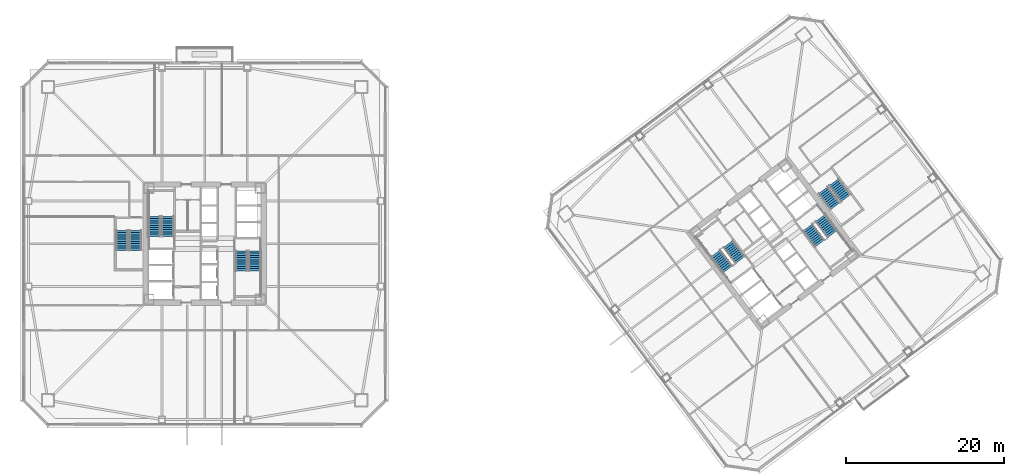
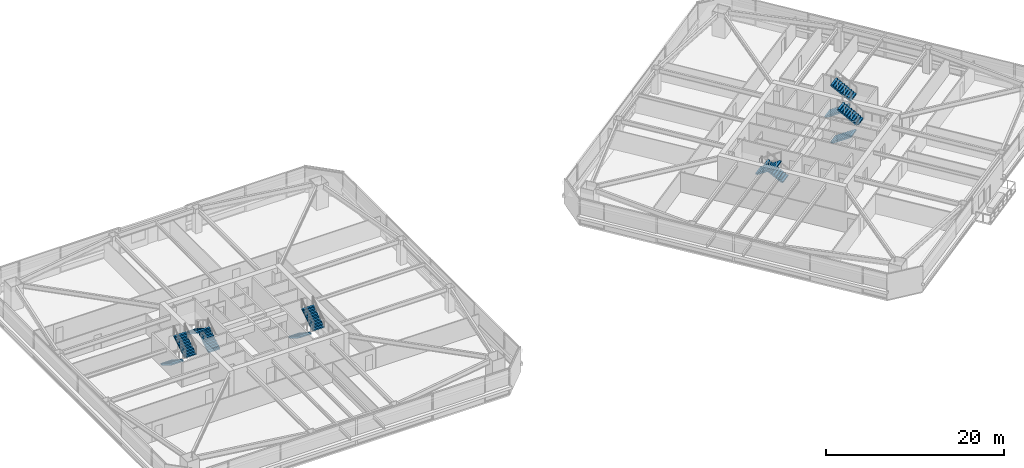
# One storey, part 41 of 48: 12 stair flights, 6 elements without a shape of their own.
"""IFC4 building model written with IfcOpenShell, lengths in metres."""

from ifc_helpers import new_model, si_unit, direction, frame, origin, place, context, subcontext, project, spatial, polyline, outline, extrude, material, type_object, element, aggregate, save


model = new_model("IFC4")

# Units and contexts
model_context = context("Model", 3, precision=1e-05, world=origin(), true_north=direction((0.0, 1.0)))
body_context = subcontext(model_context, "Body", "Model", "MODEL_VIEW")
ifc_project = project(units=[si_unit("LENGTHUNIT", "METRE"), si_unit("AREAUNIT", "SQUARE_METRE"), si_unit("VOLUMEUNIT", "CUBIC_METRE"), si_unit("PLANEANGLEUNIT", "RADIAN"), si_unit("MASSUNIT", "GRAM", prefix="KILO")], contexts=[model_context])

# Site, building, storey
site_placement = place(None, origin())
site = spatial("IfcSite", under=ifc_project, at=site_placement, CompositionType="ELEMENT")
building_placement = place(site_placement, origin())
building = spatial("IfcBuilding", under=site, at=building_placement, Name="Tashvorn Skyway Center", CompositionType="ELEMENT")
storey_placement = place(building_placement, frame((0.0, 0.0, 53.0)))
storey = spatial("IfcBuildingStorey", under=building, at=storey_placement, Name="L13", CompositionType="ELEMENT", Elevation=53.0)

# Stair, stair flights
ifc_material = material(Name="Concrete C40/50", Category="concrete")
stair_type = type_object("IfcStairType", Name="STAIR-CORE-1500", PredefinedType="HALF_TURN_STAIR", material=ifc_material)
stair_1_placement = place(storey_placement, origin())
stair_1 = element("IfcStair", 1, at=stair_1_placement, inside=storey, type_object=stair_type, Name="L13 Tower 1 Exit Stair 1", PredefinedType="HALF_TURN_STAIR")
stair_flight_type = type_object("IfcStairFlightType", Name="SFLIGHT-1500", PredefinedType="STRAIGHT", material=ifc_material)
stair_flight_1_placement = place(storey_placement, frame((37.35009765625, 32.919921875, 0.0), z_axis=(0.0, 0.0, 1.0), x_axis=(0.0, 1.0, 0.0)))
stair_flight_1 = element("IfcStairFlight", 2, at=stair_flight_1_placement, type_object=stair_flight_type, Name="ST-T1-1 flight 1", NumberOfRisers=10, NumberOfTreads=9, PredefinedType="STRAIGHT", RiserHeight=0.1775, TreadLength=0.28, context=body_context, shape_type="SweptSolid", body=[
    extrude(outline(polyline([(0.0, 0.0), (0.0, 0.177490234375), (0.280029296875, 0.177490234375), (0.280029296875, 0.35498046875), (0.56005859375, 0.35498046875), (0.56005859375, 0.532470703125), (0.840087890625, 0.532470703125), (0.840087890625, 0.7099609375), (1.1201171875, 0.7099609375), (1.1201171875, 0.887451171875), (1.39990234375, 0.887451171875), (1.39990234375, 1.06494140625), (1.679931640625, 1.06494140625), (1.679931640625, 1.242431640625), (1.9599609375, 1.242431640625), (1.9599609375, 1.419921875), (2.239990234375, 1.419921875), (2.239990234375, 1.597412109375), (2.52001953125, 1.597412109375), (2.52001953125, 1.77490234375), (2.52001953125, 1.419921875), (0.280029296875, 0.0), (0.0, 0.0)])), frame((0.0, 0.75, 0.0), z_axis=(0.0, -1.0, 0.0), x_axis=(1.0, 0.0, 0.0)), (0.0, 0.0, 1.0), 1.5),
])
stair_flight_2_placement = place(storey_placement, frame((35.64990234375, 35.43994140625, 1.77490234375), z_axis=(0.0, 0.0, 1.0), x_axis=(0.0, -1.0, 0.0)))
stair_flight_2 = element("IfcStairFlight", 3, at=stair_flight_2_placement, type_object=stair_flight_type, Name="ST-T1-1 flight 2", NumberOfRisers=10, NumberOfTreads=9, PredefinedType="STRAIGHT", RiserHeight=0.1775, TreadLength=0.28, context=body_context, shape_type="SweptSolid", body=[
    extrude(outline(polyline([(0.0, 0.0), (0.0, 0.177490234375), (0.280029296875, 0.177490234375), (0.280029296875, 0.35498046875), (0.56005859375, 0.35498046875), (0.56005859375, 0.532470703125), (0.840087890625, 0.532470703125), (0.840087890625, 0.7099609375), (1.1201171875, 0.7099609375), (1.1201171875, 0.887451171875), (1.39990234375, 0.887451171875), (1.39990234375, 1.06494140625), (1.679931640625, 1.06494140625), (1.679931640625, 1.242431640625), (1.9599609375, 1.242431640625), (1.9599609375, 1.419921875), (2.239990234375, 1.419921875), (2.239990234375, 1.597412109375), (2.52001953125, 1.597412109375), (2.52001953125, 1.77490234375), (2.52001953125, 1.419921875), (0.280029296875, 0.0), (0.0, 0.0)])), frame((0.0, 0.75, 0.0), z_axis=(0.0, -1.0, 0.0), x_axis=(1.0, 0.0, 0.0)), (0.0, 0.0, 1.0), 1.5),
])
aggregate(stair_1, [stair_flight_1, stair_flight_2])

stair_2_placement = place(storey_placement, origin())
stair_2 = element("IfcStair", 4, at=stair_2_placement, inside=storey, type_object=stair_type, Name="L13 Tower 1 Exit Stair 2", PredefinedType="HALF_TURN_STAIR")
stair_flight_3_placement = place(storey_placement, frame((46.64990234375, 31.080078125, 0.0), z_axis=(0.0, 0.0, 1.0), x_axis=(0.0, -1.0, 0.0)))
stair_flight_3 = element("IfcStairFlight", 5, at=stair_flight_3_placement, type_object=stair_flight_type, Name="ST-T1-2 flight 1", NumberOfRisers=10, NumberOfTreads=9, PredefinedType="STRAIGHT", RiserHeight=0.1775, TreadLength=0.28, context=body_context, shape_type="SweptSolid", body=[
    extrude(outline(polyline([(0.0, 0.0), (0.0, 0.177490234375), (0.280029296875, 0.177490234375), (0.280029296875, 0.35498046875), (0.56005859375, 0.35498046875), (0.56005859375, 0.532470703125), (0.840087890625, 0.532470703125), (0.840087890625, 0.7099609375), (1.1201171875, 0.7099609375), (1.1201171875, 0.887451171875), (1.39990234375, 0.887451171875), (1.39990234375, 1.06494140625), (1.679931640625, 1.06494140625), (1.679931640625, 1.242431640625), (1.9599609375, 1.242431640625), (1.9599609375, 1.419921875), (2.239990234375, 1.419921875), (2.239990234375, 1.597412109375), (2.52001953125, 1.597412109375), (2.52001953125, 1.77490234375), (2.52001953125, 1.419921875), (0.280029296875, 0.0), (0.0, 0.0)])), frame((0.0, 0.75, 0.0), z_axis=(0.0, -1.0, 0.0), x_axis=(1.0, 0.0, 0.0)), (0.0, 0.0, 1.0), 1.5),
])
stair_flight_4_placement = place(storey_placement, frame((48.35009765625, 28.56005859375, 1.77490234375), z_axis=(0.0, 0.0, 1.0), x_axis=(0.0, 1.0, 0.0)))
stair_flight_4 = element("IfcStairFlight", 6, at=stair_flight_4_placement, type_object=stair_flight_type, Name="ST-T1-2 flight 2", NumberOfRisers=10, NumberOfTreads=9, PredefinedType="STRAIGHT", RiserHeight=0.1775, TreadLength=0.28, context=body_context, shape_type="SweptSolid", body=[
    extrude(outline(polyline([(0.0, 0.0), (0.0, 0.177490234375), (0.280029296875, 0.177490234375), (0.280029296875, 0.35498046875), (0.56005859375, 0.35498046875), (0.56005859375, 0.532470703125), (0.840087890625, 0.532470703125), (0.840087890625, 0.7099609375), (1.1201171875, 0.7099609375), (1.1201171875, 0.887451171875), (1.39990234375, 0.887451171875), (1.39990234375, 1.06494140625), (1.679931640625, 1.06494140625), (1.679931640625, 1.242431640625), (1.9599609375, 1.242431640625), (1.9599609375, 1.419921875), (2.239990234375, 1.419921875), (2.239990234375, 1.597412109375), (2.52001953125, 1.597412109375), (2.52001953125, 1.77490234375), (2.52001953125, 1.419921875), (0.280029296875, 0.0), (0.0, 0.0)])), frame((0.0, 0.75, 0.0), z_axis=(0.0, -1.0, 0.0), x_axis=(1.0, 0.0, 0.0)), (0.0, 0.0, 1.0), 1.5),
])
aggregate(stair_2, [stair_flight_3, stair_flight_4])

stair_3_placement = place(storey_placement, origin())
stair_3 = element("IfcStair", 7, at=stair_3_placement, inside=storey, type_object=stair_type, Name="L13 Tower 2 Exit Stair 1", PredefinedType="HALF_TURN_STAIR")
stair_flight_5_placement = place(storey_placement, frame((109.72802734375, 29.946044921875, 0.0), z_axis=(0.0, 0.0, 1.0), x_axis=(-0.600000004945, 0.799999996291, 0.0)))
stair_flight_5 = element("IfcStairFlight", 8, at=stair_flight_5_placement, type_object=stair_flight_type, Name="ST-T2-1 flight 1", NumberOfRisers=10, NumberOfTreads=9, PredefinedType="STRAIGHT", RiserHeight=0.1775, TreadLength=0.28, context=body_context, shape_type="SweptSolid", body=[
    extrude(outline(polyline([(0.0, 0.0), (0.0, 0.177490234375), (0.280029296875, 0.177490234375), (0.280029296875, 0.35498046875), (0.56005859375, 0.35498046875), (0.56005859375, 0.532470703125), (0.840087890625, 0.532470703125), (0.840087890625, 0.7099609375), (1.1201171875, 0.7099609375), (1.1201171875, 0.887451171875), (1.39990234375, 0.887451171875), (1.39990234375, 1.06494140625), (1.679931640625, 1.06494140625), (1.679931640625, 1.242431640625), (1.9599609375, 1.242431640625), (1.9599609375, 1.419921875), (2.239990234375, 1.419921875), (2.239990234375, 1.597412109375), (2.52001953125, 1.597412109375), (2.52001953125, 1.77490234375), (2.52001953125, 1.419921875), (0.280029296875, 0.0), (0.0, 0.0)])), frame((0.0, 0.75, 0.0), z_axis=(0.0, -1.0, 0.0), x_axis=(1.0, 0.0, 0.0)), (0.0, 0.0, 1.0), 1.5),
])
stair_flight_6_placement = place(storey_placement, frame((106.632080078125, 30.77392578125, 1.77490234375), z_axis=(0.0, 0.0, 1.0), x_axis=(0.600000004945, -0.799999996291, 0.0)))
stair_flight_6 = element("IfcStairFlight", 9, at=stair_flight_6_placement, type_object=stair_flight_type, Name="ST-T2-1 flight 2", NumberOfRisers=10, NumberOfTreads=9, PredefinedType="STRAIGHT", RiserHeight=0.1775, TreadLength=0.28, context=body_context, shape_type="SweptSolid", body=[
    extrude(outline(polyline([(0.0, 0.0), (0.0, 0.177490234375), (0.280029296875, 0.177490234375), (0.280029296875, 0.35498046875), (0.56005859375, 0.35498046875), (0.56005859375, 0.532470703125), (0.840087890625, 0.532470703125), (0.840087890625, 0.7099609375), (1.1201171875, 0.7099609375), (1.1201171875, 0.887451171875), (1.39990234375, 0.887451171875), (1.39990234375, 1.06494140625), (1.679931640625, 1.06494140625), (1.679931640625, 1.242431640625), (1.9599609375, 1.242431640625), (1.9599609375, 1.419921875), (2.239990234375, 1.419921875), (2.239990234375, 1.597412109375), (2.52001953125, 1.597412109375), (2.52001953125, 1.77490234375), (2.52001953125, 1.419921875), (0.280029296875, 0.0), (0.0, 0.0)])), frame((0.0, 0.75, 0.0), z_axis=(0.0, -1.0, 0.0), x_axis=(1.0, 0.0, 0.0)), (0.0, 0.0, 1.0), 1.5),
])
aggregate(stair_3, [stair_flight_5, stair_flight_6])

stair_4_placement = place(storey_placement, origin())
stair_4 = element("IfcStair", 10, at=stair_4_placement, inside=storey, type_object=stair_type, Name="L13 Tower 2 Exit Stair 2", PredefinedType="HALF_TURN_STAIR")
stair_flight_7_placement = place(storey_placement, frame((118.27197265625, 34.053955078125, 0.0), z_axis=(0.0, 0.0, 1.0), x_axis=(0.600000004945, -0.799999996291, 0.0)))
stair_flight_7 = element("IfcStairFlight", 11, at=stair_flight_7_placement, type_object=stair_flight_type, Name="ST-T2-2 flight 1", NumberOfRisers=10, NumberOfTreads=9, PredefinedType="STRAIGHT", RiserHeight=0.1775, TreadLength=0.28, context=body_context, shape_type="SweptSolid", body=[
    extrude(outline(polyline([(0.0, 0.0), (0.0, 0.177490234375), (0.280029296875, 0.177490234375), (0.280029296875, 0.35498046875), (0.56005859375, 0.35498046875), (0.56005859375, 0.532470703125), (0.840087890625, 0.532470703125), (0.840087890625, 0.7099609375), (1.1201171875, 0.7099609375), (1.1201171875, 0.887451171875), (1.39990234375, 0.887451171875), (1.39990234375, 1.06494140625), (1.679931640625, 1.06494140625), (1.679931640625, 1.242431640625), (1.9599609375, 1.242431640625), (1.9599609375, 1.419921875), (2.239990234375, 1.419921875), (2.239990234375, 1.597412109375), (2.52001953125, 1.597412109375), (2.52001953125, 1.77490234375), (2.52001953125, 1.419921875), (0.280029296875, 0.0), (0.0, 0.0)])), frame((0.0, 0.75, 0.0), z_axis=(0.0, -1.0, 0.0), x_axis=(1.0, 0.0, 0.0)), (0.0, 0.0, 1.0), 1.5),
])
stair_flight_8_placement = place(storey_placement, frame((121.367919921875, 33.22607421875, 1.77490234375), z_axis=(0.0, 0.0, 1.0), x_axis=(-0.600000004945, 0.799999996291, 0.0)))
stair_flight_8 = element("IfcStairFlight", 12, at=stair_flight_8_placement, type_object=stair_flight_type, Name="ST-T2-2 flight 2", NumberOfRisers=10, NumberOfTreads=9, PredefinedType="STRAIGHT", RiserHeight=0.1775, TreadLength=0.28, context=body_context, shape_type="SweptSolid", body=[
    extrude(outline(polyline([(0.0, 0.0), (0.0, 0.177490234375), (0.280029296875, 0.177490234375), (0.280029296875, 0.35498046875), (0.56005859375, 0.35498046875), (0.56005859375, 0.532470703125), (0.840087890625, 0.532470703125), (0.840087890625, 0.7099609375), (1.1201171875, 0.7099609375), (1.1201171875, 0.887451171875), (1.39990234375, 0.887451171875), (1.39990234375, 1.06494140625), (1.679931640625, 1.06494140625), (1.679931640625, 1.242431640625), (1.9599609375, 1.242431640625), (1.9599609375, 1.419921875), (2.239990234375, 1.419921875), (2.239990234375, 1.597412109375), (2.52001953125, 1.597412109375), (2.52001953125, 1.77490234375), (2.52001953125, 1.419921875), (0.280029296875, 0.0), (0.0, 0.0)])), frame((0.0, 0.75, 0.0), z_axis=(0.0, -1.0, 0.0), x_axis=(1.0, 0.0, 0.0)), (0.0, 0.0, 1.0), 1.5),
])
aggregate(stair_4, [stair_flight_7, stair_flight_8])

stair_5_placement = place(storey_placement, origin())
stair_5 = element("IfcStair", 13, at=stair_5_placement, inside=storey, type_object=stair_type, Name="L13 Tower 1 Exit Stair 3", PredefinedType="HALF_TURN_STAIR")
stair_flight_9_placement = place(storey_placement, frame((31.550048828125, 33.679931640625, 0.0), z_axis=(0.0, 0.0, 1.0), x_axis=(0.0, -1.0, 0.0)))
stair_flight_9 = element("IfcStairFlight", 14, at=stair_flight_9_placement, type_object=stair_flight_type, Name="ST-T1-3 flight 1", NumberOfRisers=10, NumberOfTreads=9, PredefinedType="STRAIGHT", RiserHeight=0.1775, TreadLength=0.28, context=body_context, shape_type="SweptSolid", body=[
    extrude(outline(polyline([(0.0, 0.0), (0.0, 0.177490234375), (0.280029296875, 0.177490234375), (0.280029296875, 0.35498046875), (0.56005859375, 0.35498046875), (0.56005859375, 0.532470703125), (0.840087890625, 0.532470703125), (0.840087890625, 0.7099609375), (1.1201171875, 0.7099609375), (1.1201171875, 0.887451171875), (1.39990234375, 0.887451171875), (1.39990234375, 1.06494140625), (1.679931640625, 1.06494140625), (1.679931640625, 1.242431640625), (1.9599609375, 1.242431640625), (1.9599609375, 1.419921875), (2.239990234375, 1.419921875), (2.239990234375, 1.597412109375), (2.52001953125, 1.597412109375), (2.52001953125, 1.77490234375), (2.52001953125, 1.419921875), (0.280029296875, 0.0), (0.0, 0.0)])), frame((0.0, 0.75, 0.0), z_axis=(0.0, -1.0, 0.0), x_axis=(1.0, 0.0, 0.0)), (0.0, 0.0, 1.0), 1.5),
])
stair_flight_10_placement = place(storey_placement, frame((33.25, 31.159912109375, 1.77490234375), z_axis=(0.0, 0.0, 1.0), x_axis=(0.0, 1.0, 0.0)))
stair_flight_10 = element("IfcStairFlight", 15, at=stair_flight_10_placement, type_object=stair_flight_type, Name="ST-T1-3 flight 2", NumberOfRisers=10, NumberOfTreads=9, PredefinedType="STRAIGHT", RiserHeight=0.1775, TreadLength=0.28, context=body_context, shape_type="SweptSolid", body=[
    extrude(outline(polyline([(0.0, 0.0), (0.0, 0.177490234375), (0.280029296875, 0.177490234375), (0.280029296875, 0.35498046875), (0.56005859375, 0.35498046875), (0.56005859375, 0.532470703125), (0.840087890625, 0.532470703125), (0.840087890625, 0.7099609375), (1.1201171875, 0.7099609375), (1.1201171875, 0.887451171875), (1.39990234375, 0.887451171875), (1.39990234375, 1.06494140625), (1.679931640625, 1.06494140625), (1.679931640625, 1.242431640625), (1.9599609375, 1.242431640625), (1.9599609375, 1.419921875), (2.239990234375, 1.419921875), (2.239990234375, 1.597412109375), (2.52001953125, 1.597412109375), (2.52001953125, 1.77490234375), (2.52001953125, 1.419921875), (0.280029296875, 0.0), (0.0, 0.0)])), frame((0.0, 0.75, 0.0), z_axis=(0.0, -1.0, 0.0), x_axis=(1.0, 0.0, 0.0)), (0.0, 0.0, 1.0), 1.5),
])
aggregate(stair_5, [stair_flight_9, stair_flight_10])

stair_6_placement = place(storey_placement, origin())
stair_6 = element("IfcStair", 16, at=stair_6_placement, inside=storey, type_object=stair_type, Name="L13 Tower 2 Exit Stair 3", PredefinedType="HALF_TURN_STAIR")
stair_flight_11_placement = place(storey_placement, frame((120.216064453125, 38.761962890625, 0.0), z_axis=(0.0, 0.0, 1.0), x_axis=(0.600000004945, -0.799999996291, 0.0)))
stair_flight_11 = element("IfcStairFlight", 17, at=stair_flight_11_placement, type_object=stair_flight_type, Name="ST-T2-3 flight 1", NumberOfRisers=10, NumberOfTreads=9, PredefinedType="STRAIGHT", RiserHeight=0.1775, TreadLength=0.28, context=body_context, shape_type="SweptSolid", body=[
    extrude(outline(polyline([(0.0, 0.0), (0.0, 0.177490234375), (0.280029296875, 0.177490234375), (0.280029296875, 0.35498046875), (0.56005859375, 0.35498046875), (0.56005859375, 0.532470703125), (0.840087890625, 0.532470703125), (0.840087890625, 0.7099609375), (1.1201171875, 0.7099609375), (1.1201171875, 0.887451171875), (1.39990234375, 0.887451171875), (1.39990234375, 1.06494140625), (1.679931640625, 1.06494140625), (1.679931640625, 1.242431640625), (1.9599609375, 1.242431640625), (1.9599609375, 1.419921875), (2.239990234375, 1.419921875), (2.239990234375, 1.597412109375), (2.52001953125, 1.597412109375), (2.52001953125, 1.77490234375), (2.52001953125, 1.419921875), (0.280029296875, 0.0), (0.0, 0.0)])), frame((0.0, 0.75, 0.0), z_axis=(0.0, -1.0, 0.0), x_axis=(1.0, 0.0, 0.0)), (0.0, 0.0, 1.0), 1.5),
])
stair_flight_12_placement = place(storey_placement, frame((123.087890625, 37.76611328125, 1.77490234375), z_axis=(0.0, 0.0, 1.0), x_axis=(-0.600000004945, 0.799999996291, 0.0)))
stair_flight_12 = element("IfcStairFlight", 18, at=stair_flight_12_placement, type_object=stair_flight_type, Name="ST-T2-3 flight 2", NumberOfRisers=10, NumberOfTreads=9, PredefinedType="STRAIGHT", RiserHeight=0.1775, TreadLength=0.28, context=body_context, shape_type="SweptSolid", body=[
    extrude(outline(polyline([(0.0, 0.0), (0.0, 0.177490234375), (0.280029296875, 0.177490234375), (0.280029296875, 0.35498046875), (0.56005859375, 0.35498046875), (0.56005859375, 0.532470703125), (0.840087890625, 0.532470703125), (0.840087890625, 0.7099609375), (1.1201171875, 0.7099609375), (1.1201171875, 0.887451171875), (1.39990234375, 0.887451171875), (1.39990234375, 1.06494140625), (1.679931640625, 1.06494140625), (1.679931640625, 1.242431640625), (1.9599609375, 1.242431640625), (1.9599609375, 1.419921875), (2.239990234375, 1.419921875), (2.239990234375, 1.597412109375), (2.52001953125, 1.597412109375), (2.52001953125, 1.77490234375), (2.52001953125, 1.419921875), (0.280029296875, 0.0), (0.0, 0.0)])), frame((0.0, 0.75, 0.0), z_axis=(0.0, -1.0, 0.0), x_axis=(1.0, 0.0, 0.0)), (0.0, 0.0, 1.0), 1.5),
])
aggregate(stair_6, [stair_flight_11, stair_flight_12])

save(model, "model.ifc")
